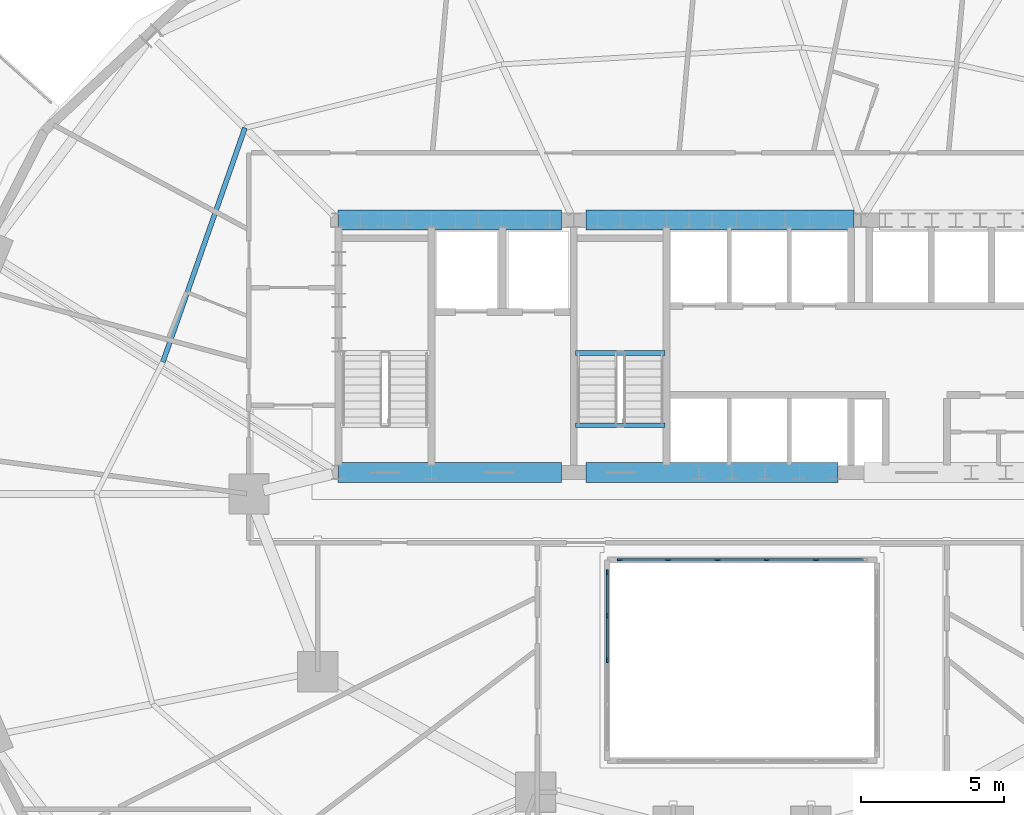
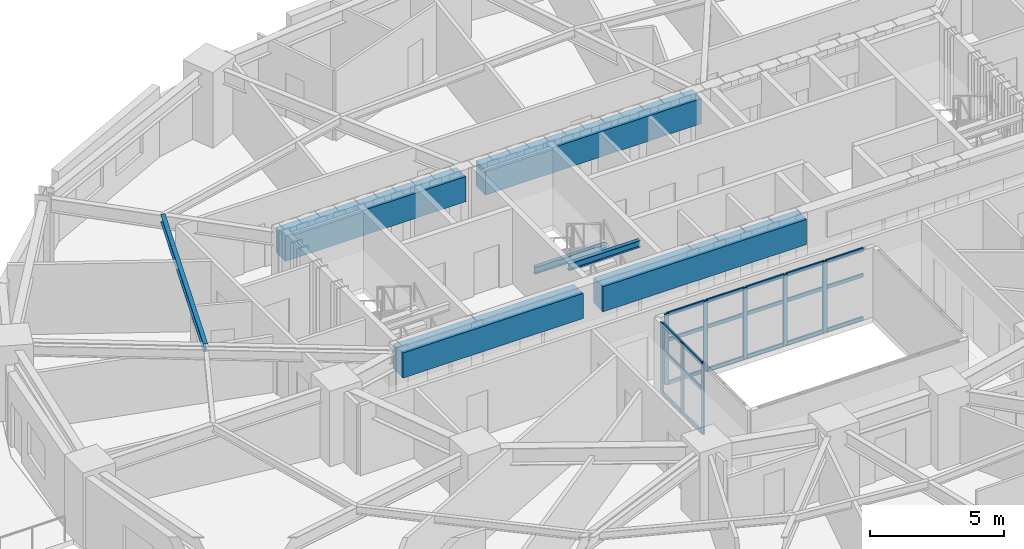
# One storey, part 4 of 15: 29 members, 7 beams, 2 elements without a shape of their own.
"""IFC4 building model written with IfcOpenShell, lengths in metres."""

from ifc_helpers import new_model, si_unit, direction, frame, origin, origin_2d, place, context, subcontext, project, spatial, rectangle, i_section, extrude, material, material_profile, profile_set, type_object, element, aggregate, save


model = new_model("IFC4")

# Units and contexts
model_context = context("Model", 3, precision=1e-05, world=origin(), true_north=direction((0.0, 1.0)))
body_context = subcontext(model_context, "Body", "Model", "MODEL_VIEW")
ifc_project = project(units=[si_unit("LENGTHUNIT", "METRE"), si_unit("AREAUNIT", "SQUARE_METRE"), si_unit("VOLUMEUNIT", "CUBIC_METRE"), si_unit("PLANEANGLEUNIT", "RADIAN"), si_unit("MASSUNIT", "GRAM", prefix="KILO")], contexts=[model_context])

# Site, building, storey
site_placement = place(None, origin())
site = spatial("IfcSite", under=ifc_project, at=site_placement, CompositionType="ELEMENT")
building_placement = place(site_placement, origin())
building = spatial("IfcBuilding", under=site, at=building_placement, Name="Haldorwick Loom Tower", CompositionType="ELEMENT")
storey_placement = place(building_placement, frame((0.0, 0.0, 81.800048828125)))
storey = spatial("IfcBuildingStorey", under=building, at=storey_placement, Name="L21", CompositionType="ELEMENT", Elevation=81.800048828125)

# Curtain wall, members
ifc_material_1 = material(Name="Thermally Broken Anodized Aluminium Curtain Wall Framing", Category="aluminium")
curtain_wall_type = type_object("IfcCurtainWallType", Name="ARC-CW-03", PredefinedType="NOTDEFINED", material=ifc_material_1)
curtain_wall_1_placement = place(storey_placement, origin())
curtain_wall_1 = element("IfcCurtainWall", 1, at=curtain_wall_1_placement, inside=storey, type_object=curtain_wall_type, Name="L21 Atrium Glazed Screen N", PredefinedType="NOTDEFINED")
ifc_material_profile_1 = material_profile(ifc_material_1, rectangle(XDim=0.06591796875, YDim=0.18505859375, at=origin_2d()), Name="ALU_MUL_66X185", Category="aluminium")
ifc_profile_set_1 = profile_set([ifc_material_profile_1], Name="Thermally Broken Anodized Aluminium Curtain Wall Framing")
member_type_1 = type_object("IfcMemberType", Name="ARC-CWM-03", PredefinedType="MULLION", material=ifc_profile_set_1)
member_1_placement = place(storey_placement, frame((31.73291015625, 23.699951171875, 0.0), z_axis=(0.0, 0.0, 1.0), x_axis=(0.0, 1.0, 0.0)))
member_1 = element("IfcMember", 2, at=member_1_placement, type_object=member_type_1, Name="CW-03 mullion 1", PredefinedType="MULLION", context=body_context, shape_type="SweptSolid", body=[
    extrude(rectangle(XDim=0.06591796875, YDim=0.18505859375, at=origin_2d()), origin(), (0.0, 0.0, 1.0), 3.2099609375),
])
member_2_placement = place(storey_placement, frame((33.419921875, 23.699951171875, 0.0), z_axis=(0.0, 0.0, 1.0), x_axis=(0.0, 1.0, 0.0)))
member_2 = element("IfcMember", 3, at=member_2_placement, type_object=member_type_1, Name="CW-03 mullion 2", PredefinedType="MULLION", context=body_context, shape_type="SweptSolid", body=[
    extrude(rectangle(XDim=0.06591796875, YDim=0.18505859375, at=origin_2d()), origin(), (0.0, 0.0, 1.0), 3.2099609375),
])
member_3_placement = place(storey_placement, frame((35.139892578125, 23.699951171875, 0.0), z_axis=(0.0, 0.0, 1.0), x_axis=(0.0, 1.0, 0.0)))
member_3 = element("IfcMember", 4, at=member_3_placement, type_object=member_type_1, Name="CW-03 mullion 3", PredefinedType="MULLION", context=body_context, shape_type="SweptSolid", body=[
    extrude(rectangle(XDim=0.06591796875, YDim=0.18505859375, at=origin_2d()), origin(), (0.0, 0.0, 1.0), 3.2099609375),
])
member_4_placement = place(storey_placement, frame((36.860107421875, 23.699951171875, 0.0), z_axis=(0.0, 0.0, 1.0), x_axis=(0.0, 1.0, 0.0)))
member_4 = element("IfcMember", 5, at=member_4_placement, type_object=member_type_1, Name="CW-03 mullion 4", PredefinedType="MULLION", context=body_context, shape_type="SweptSolid", body=[
    extrude(rectangle(XDim=0.06591796875, YDim=0.18505859375, at=origin_2d()), origin(), (0.0, 0.0, 1.0), 3.2099609375),
])
member_5_placement = place(storey_placement, frame((38.580078125, 23.699951171875, 0.0), z_axis=(0.0, 0.0, 1.0), x_axis=(0.0, 1.0, 0.0)))
member_5 = element("IfcMember", 6, at=member_5_placement, type_object=member_type_1, Name="CW-03 mullion 5", PredefinedType="MULLION", context=body_context, shape_type="SweptSolid", body=[
    extrude(rectangle(XDim=0.06591796875, YDim=0.18505859375, at=origin_2d()), origin(), (0.0, 0.0, 1.0), 3.2099609375),
])

curtain_wall_2_placement = place(storey_placement, origin())
curtain_wall_2 = element("IfcCurtainWall", 7, at=curtain_wall_2_placement, inside=storey, type_object=curtain_wall_type, Name="L21 Atrium Glazed Screen W", PredefinedType="NOTDEFINED")
member_6_placement = place(storey_placement, frame((31.300048828125, 20.199951171875, 0.0), z_axis=(0.0, 0.0, 1.0), x_axis=(-1.0, 0.0, 0.0)))
member_6 = element("IfcMember", 8, at=member_6_placement, type_object=member_type_1, Name="CW-03 mullion 3", PredefinedType="MULLION", context=body_context, shape_type="SweptSolid", body=[
    extrude(rectangle(XDim=0.06591796875, YDim=0.18505859375, at=origin_2d()), origin(), (0.0, 0.0, 1.0), 3.2099609375),
])
member_7_placement = place(storey_placement, frame((31.300048828125, 21.75, 0.0), z_axis=(0.0, 0.0, 1.0), x_axis=(-1.0, 0.0, 0.0)))
member_7 = element("IfcMember", 9, at=member_7_placement, type_object=member_type_1, Name="CW-03 mullion 4", PredefinedType="MULLION", context=body_context, shape_type="SweptSolid", body=[
    extrude(rectangle(XDim=0.06591796875, YDim=0.18505859375, at=origin_2d()), origin(), (0.0, 0.0, 1.0), 3.2099609375),
])
member_8_placement = place(storey_placement, frame((31.300048828125, 23.26708984375, 0.0), z_axis=(0.0, 0.0, 1.0), x_axis=(-1.0, 0.0, 0.0)))
member_8 = element("IfcMember", 10, at=member_8_placement, type_object=member_type_1, Name="CW-03 mullion 5", PredefinedType="MULLION", context=body_context, shape_type="SweptSolid", body=[
    extrude(rectangle(XDim=0.06591796875, YDim=0.18505859375, at=origin_2d()), origin(), (0.0, 0.0, 1.0), 3.2099609375),
])

# Member
ifc_material_profile_2 = material_profile(ifc_material_1, rectangle(XDim=0.06591796875, YDim=0.1650390625, at=origin_2d()), Name="ALU_TRN_66X165", Category="aluminium")
ifc_profile_set_2 = profile_set([ifc_material_profile_2], Name="Thermally Broken Anodized Aluminium Curtain Wall Framing")
member_type_2 = type_object("IfcMemberType", Name="ARC-CWT-03", PredefinedType="USERDEFINED", material=ifc_profile_set_2)
member_9_placement = place(storey_placement, frame((31.76611328125, 23.699951171875, 0.032958984375), z_axis=(1.0, 0.0, 0.0), x_axis=(0.0, 1.0, 0.0)))
member_9 = element("IfcMember", 11, at=member_9_placement, type_object=member_type_2, Name="CW-03 transom 1.1", ObjectType="TRANSOM", PredefinedType="USERDEFINED", context=body_context, shape_type="SweptSolid", body=[
    extrude(rectangle(XDim=0.06591796875, YDim=0.1650390625, at=origin_2d()), origin(), (0.0, 0.0, 1.0), 1.620849609375),
])

member_10_placement = place(storey_placement, frame((31.76611328125, 23.699951171875, 2.0), z_axis=(1.0, 0.0, 0.0), x_axis=(0.0, 1.0, 0.0)))
member_10 = element("IfcMember", 12, at=member_10_placement, type_object=member_type_2, Name="CW-03 transom 1.2", ObjectType="TRANSOM", PredefinedType="USERDEFINED", context=body_context, shape_type="SweptSolid", body=[
    extrude(rectangle(XDim=0.06591796875, YDim=0.1650390625, at=origin_2d()), origin(), (0.0, 0.0, 1.0), 1.620849609375),
])

member_11_placement = place(storey_placement, frame((31.76611328125, 23.699951171875, 3.177001953125), z_axis=(1.0, 0.0, 0.0), x_axis=(0.0, 1.0, 0.0)))
member_11 = element("IfcMember", 13, at=member_11_placement, type_object=member_type_2, Name="CW-03 transom 1.3", ObjectType="TRANSOM", PredefinedType="USERDEFINED", context=body_context, shape_type="SweptSolid", body=[
    extrude(rectangle(XDim=0.06591796875, YDim=0.1650390625, at=origin_2d()), origin(), (0.0, 0.0, 1.0), 1.620849609375),
])

member_12_placement = place(storey_placement, frame((33.452880859375, 23.699951171875, 0.032958984375), z_axis=(1.0, 0.0, 0.0), x_axis=(0.0, 1.0, 0.0)))
member_12 = element("IfcMember", 14, at=member_12_placement, type_object=member_type_2, Name="CW-03 transom 2.1", ObjectType="TRANSOM", PredefinedType="USERDEFINED", context=body_context, shape_type="SweptSolid", body=[
    extrude(rectangle(XDim=0.06591796875, YDim=0.1650390625, at=origin_2d()), origin(), (0.0, 0.0, 1.0), 1.654052734375),
])

member_13_placement = place(storey_placement, frame((33.452880859375, 23.699951171875, 2.0), z_axis=(1.0, 0.0, 0.0), x_axis=(0.0, 1.0, 0.0)))
member_13 = element("IfcMember", 15, at=member_13_placement, type_object=member_type_2, Name="CW-03 transom 2.2", ObjectType="TRANSOM", PredefinedType="USERDEFINED", context=body_context, shape_type="SweptSolid", body=[
    extrude(rectangle(XDim=0.06591796875, YDim=0.1650390625, at=origin_2d()), origin(), (0.0, 0.0, 1.0), 1.654052734375),
])

member_14_placement = place(storey_placement, frame((33.452880859375, 23.699951171875, 3.177001953125), z_axis=(1.0, 0.0, 0.0), x_axis=(0.0, 1.0, 0.0)))
member_14 = element("IfcMember", 16, at=member_14_placement, type_object=member_type_2, Name="CW-03 transom 2.3", ObjectType="TRANSOM", PredefinedType="USERDEFINED", context=body_context, shape_type="SweptSolid", body=[
    extrude(rectangle(XDim=0.06591796875, YDim=0.1650390625, at=origin_2d()), origin(), (0.0, 0.0, 1.0), 1.654052734375),
])

member_15_placement = place(storey_placement, frame((35.173095703125, 23.699951171875, 0.032958984375), z_axis=(1.0, 0.0, 0.0), x_axis=(0.0, 1.0, 0.0)))
member_15 = element("IfcMember", 17, at=member_15_placement, type_object=member_type_2, Name="CW-03 transom 3.1", ObjectType="TRANSOM", PredefinedType="USERDEFINED", context=body_context, shape_type="SweptSolid", body=[
    extrude(rectangle(XDim=0.06591796875, YDim=0.1650390625, at=origin_2d()), origin(), (0.0, 0.0, 1.0), 1.65380859375),
])

member_16_placement = place(storey_placement, frame((35.173095703125, 23.699951171875, 2.0), z_axis=(1.0, 0.0, 0.0), x_axis=(0.0, 1.0, 0.0)))
member_16 = element("IfcMember", 18, at=member_16_placement, type_object=member_type_2, Name="CW-03 transom 3.2", ObjectType="TRANSOM", PredefinedType="USERDEFINED", context=body_context, shape_type="SweptSolid", body=[
    extrude(rectangle(XDim=0.06591796875, YDim=0.1650390625, at=origin_2d()), origin(), (0.0, 0.0, 1.0), 1.65380859375),
])

member_17_placement = place(storey_placement, frame((35.173095703125, 23.699951171875, 3.177001953125), z_axis=(1.0, 0.0, 0.0), x_axis=(0.0, 1.0, 0.0)))
member_17 = element("IfcMember", 19, at=member_17_placement, type_object=member_type_2, Name="CW-03 transom 3.3", ObjectType="TRANSOM", PredefinedType="USERDEFINED", context=body_context, shape_type="SweptSolid", body=[
    extrude(rectangle(XDim=0.06591796875, YDim=0.1650390625, at=origin_2d()), origin(), (0.0, 0.0, 1.0), 1.65380859375),
])

member_18_placement = place(storey_placement, frame((36.89306640625, 23.699951171875, 0.032958984375), z_axis=(1.0, 0.0, 0.0), x_axis=(0.0, 1.0, 0.0)))
member_18 = element("IfcMember", 20, at=member_18_placement, type_object=member_type_2, Name="CW-03 transom 4.1", ObjectType="TRANSOM", PredefinedType="USERDEFINED", context=body_context, shape_type="SweptSolid", body=[
    extrude(rectangle(XDim=0.06591796875, YDim=0.1650390625, at=origin_2d()), origin(), (0.0, 0.0, 1.0), 1.654052734375),
])

member_19_placement = place(storey_placement, frame((36.89306640625, 23.699951171875, 2.0), z_axis=(1.0, 0.0, 0.0), x_axis=(0.0, 1.0, 0.0)))
member_19 = element("IfcMember", 21, at=member_19_placement, type_object=member_type_2, Name="CW-03 transom 4.2", ObjectType="TRANSOM", PredefinedType="USERDEFINED", context=body_context, shape_type="SweptSolid", body=[
    extrude(rectangle(XDim=0.06591796875, YDim=0.1650390625, at=origin_2d()), origin(), (0.0, 0.0, 1.0), 1.654052734375),
])

member_20_placement = place(storey_placement, frame((36.89306640625, 23.699951171875, 3.177001953125), z_axis=(1.0, 0.0, 0.0), x_axis=(0.0, 1.0, 0.0)))
member_20 = element("IfcMember", 22, at=member_20_placement, type_object=member_type_2, Name="CW-03 transom 4.3", ObjectType="TRANSOM", PredefinedType="USERDEFINED", context=body_context, shape_type="SweptSolid", body=[
    extrude(rectangle(XDim=0.06591796875, YDim=0.1650390625, at=origin_2d()), origin(), (0.0, 0.0, 1.0), 1.654052734375),
])

member_21_placement = place(storey_placement, frame((38.613037109375, 23.699951171875, 0.032958984375), z_axis=(1.0, 0.0, 0.0), x_axis=(0.0, 1.0, 0.0)))
member_21 = element("IfcMember", 23, at=member_21_placement, type_object=member_type_2, Name="CW-03 transom 5.1", ObjectType="TRANSOM", PredefinedType="USERDEFINED", context=body_context, shape_type="SweptSolid", body=[
    extrude(rectangle(XDim=0.06591796875, YDim=0.1650390625, at=origin_2d()), origin(), (0.0, 0.0, 1.0), 1.620849609375),
])

member_22_placement = place(storey_placement, frame((38.613037109375, 23.699951171875, 2.0), z_axis=(1.0, 0.0, 0.0), x_axis=(0.0, 1.0, 0.0)))
member_22 = element("IfcMember", 24, at=member_22_placement, type_object=member_type_2, Name="CW-03 transom 5.2", ObjectType="TRANSOM", PredefinedType="USERDEFINED", context=body_context, shape_type="SweptSolid", body=[
    extrude(rectangle(XDim=0.06591796875, YDim=0.1650390625, at=origin_2d()), origin(), (0.0, 0.0, 1.0), 1.620849609375),
])

member_23_placement = place(storey_placement, frame((38.613037109375, 23.699951171875, 3.177001953125), z_axis=(1.0, 0.0, 0.0), x_axis=(0.0, 1.0, 0.0)))
member_23 = element("IfcMember", 25, at=member_23_placement, type_object=member_type_2, Name="CW-03 transom 5.3", ObjectType="TRANSOM", PredefinedType="USERDEFINED", context=body_context, shape_type="SweptSolid", body=[
    extrude(rectangle(XDim=0.06591796875, YDim=0.1650390625, at=origin_2d()), origin(), (0.0, 0.0, 1.0), 1.620849609375),
])

aggregate(curtain_wall_1, [member_1, member_2, member_3, member_4, member_5, member_9, member_10, member_11, member_12, member_13, member_14, member_15, member_16, member_17, member_18, member_19, member_20, member_21, member_22, member_23])

member_24_placement = place(storey_placement, frame((31.300048828125, 20.23291015625, 0.032958984375), z_axis=(0.0, 1.0, 0.0), x_axis=(-1.0, 0.0, 0.0)))
member_24 = element("IfcMember", 26, at=member_24_placement, type_object=member_type_2, Name="CW-03 transom 3.1", ObjectType="TRANSOM", PredefinedType="USERDEFINED", context=body_context, shape_type="SweptSolid", body=[
    extrude(rectangle(XDim=0.06591796875, YDim=0.1650390625, at=origin_2d()), origin(), (0.0, 0.0, 1.0), 1.484130859375),
])

member_25_placement = place(storey_placement, frame((31.300048828125, 20.23291015625, 2.0), z_axis=(0.0, 1.0, 0.0), x_axis=(-1.0, 0.0, 0.0)))
member_25 = element("IfcMember", 27, at=member_25_placement, type_object=member_type_2, Name="CW-03 transom 3.2", ObjectType="TRANSOM", PredefinedType="USERDEFINED", context=body_context, shape_type="SweptSolid", body=[
    extrude(rectangle(XDim=0.06591796875, YDim=0.1650390625, at=origin_2d()), origin(), (0.0, 0.0, 1.0), 1.484130859375),
])

member_26_placement = place(storey_placement, frame((31.300048828125, 20.23291015625, 3.177001953125), z_axis=(0.0, 1.0, 0.0), x_axis=(-1.0, 0.0, 0.0)))
member_26 = element("IfcMember", 28, at=member_26_placement, type_object=member_type_2, Name="CW-03 transom 3.3", ObjectType="TRANSOM", PredefinedType="USERDEFINED", context=body_context, shape_type="SweptSolid", body=[
    extrude(rectangle(XDim=0.06591796875, YDim=0.1650390625, at=origin_2d()), origin(), (0.0, 0.0, 1.0), 1.484130859375),
])

member_27_placement = place(storey_placement, frame((31.300048828125, 21.782958984375, 0.032958984375), z_axis=(0.0, 1.0, 0.0), x_axis=(-1.0, 0.0, 0.0)))
member_27 = element("IfcMember", 29, at=member_27_placement, type_object=member_type_2, Name="CW-03 transom 4.1", ObjectType="TRANSOM", PredefinedType="USERDEFINED", context=body_context, shape_type="SweptSolid", body=[
    extrude(rectangle(XDim=0.06591796875, YDim=0.1650390625, at=origin_2d()), origin(), (0.0, 0.0, 1.0), 1.450927734375),
])

member_28_placement = place(storey_placement, frame((31.300048828125, 21.782958984375, 2.0), z_axis=(0.0, 1.0, 0.0), x_axis=(-1.0, 0.0, 0.0)))
member_28 = element("IfcMember", 30, at=member_28_placement, type_object=member_type_2, Name="CW-03 transom 4.2", ObjectType="TRANSOM", PredefinedType="USERDEFINED", context=body_context, shape_type="SweptSolid", body=[
    extrude(rectangle(XDim=0.06591796875, YDim=0.1650390625, at=origin_2d()), origin(), (0.0, 0.0, 1.0), 1.450927734375),
])

member_29_placement = place(storey_placement, frame((31.300048828125, 21.782958984375, 3.177001953125), z_axis=(0.0, 1.0, 0.0), x_axis=(-1.0, 0.0, 0.0)))
member_29 = element("IfcMember", 31, at=member_29_placement, type_object=member_type_2, Name="CW-03 transom 4.3", ObjectType="TRANSOM", PredefinedType="USERDEFINED", context=body_context, shape_type="SweptSolid", body=[
    extrude(rectangle(XDim=0.06591796875, YDim=0.1650390625, at=origin_2d()), origin(), (0.0, 0.0, 1.0), 1.450927734375),
])

aggregate(curtain_wall_2, [member_6, member_7, member_8, member_24, member_25, member_26, member_27, member_28, member_29])

# Beams
ifc_material_2 = material(Name="Concrete C60 (60 MPa)", Category="concrete")
ifc_material_profile_3 = material_profile(ifc_material_2, rectangle(XDim=0.699951171875, YDim=1.14990234375, at=origin_2d()), Name="RC700X1150", Category="concrete")
ifc_profile_set_3 = profile_set([ifc_material_profile_3], Name="Concrete C60 (60 MPa)")
beam_type_1 = type_object("IfcBeamType", Name="STR-BM-CB1150", PredefinedType="LINTEL", material=ifc_profile_set_3)
beam_1_placement = place(storey_placement, frame((21.89990234375, 35.550048828125, 2.635009765625), z_axis=(1.0, 0.0, 0.0), x_axis=(0.0, 1.0, 0.0)))
element("IfcBeam", 32, at=beam_1_placement, inside=storey, type_object=beam_type_1, Name="L21 Core Coupling Beam CB-N1", PredefinedType="LINTEL", context=body_context, shape_type="SweptSolid", body=[
    extrude(rectangle(XDim=0.699951171875, YDim=1.14990234375, at=origin_2d()), origin(), (0.0, 0.0, 1.0), 7.800048828125),
])
beam_2_placement = place(storey_placement, frame((30.550048828125, 35.550048828125, 2.635009765625), z_axis=(1.0, 0.0, 0.0), x_axis=(0.0, 1.0, 0.0)))
element("IfcBeam", 33, at=beam_2_placement, inside=storey, type_object=beam_type_1, Name="L21 Core Coupling Beam CB-N2", PredefinedType="LINTEL", context=body_context, shape_type="SweptSolid", body=[
    extrude(rectangle(XDim=0.699951171875, YDim=1.14990234375, at=origin_2d()), origin(), (0.0, 0.0, 1.0), 9.349853515625),
])
beam_3_placement = place(storey_placement, frame((21.89990234375, 26.75, 2.635009765625), z_axis=(1.0, 0.0, 0.0), x_axis=(0.0, 1.0, 0.0)))
element("IfcBeam", 34, at=beam_3_placement, inside=storey, type_object=beam_type_1, Name="L21 Core Coupling Beam CB-S1", PredefinedType="LINTEL", context=body_context, shape_type="SweptSolid", body=[
    extrude(rectangle(XDim=0.699951171875, YDim=1.14990234375, at=origin_2d()), origin(), (0.0, 0.0, 1.0), 7.800048828125),
])
beam_4_placement = place(storey_placement, frame((30.550048828125, 26.75, 2.635009765625), z_axis=(1.0, 0.0, 0.0), x_axis=(0.0, 1.0, 0.0)))
element("IfcBeam", 35, at=beam_4_placement, inside=storey, type_object=beam_type_1, Name="L21 Core Coupling Beam CB-S2", PredefinedType="LINTEL", context=body_context, shape_type="SweptSolid", body=[
    extrude(rectangle(XDim=0.699951171875, YDim=1.14990234375, at=origin_2d()), origin(), (0.0, 0.0, 1.0), 8.800048828125),
])
ifc_material_3 = material(Name="Steel CSA G40.21 350W", Category="steel")
ifc_material_profile_4 = material_profile(ifc_material_3, i_section(OverallWidth=0.172119140625, OverallDepth=0.35791015625, WebThickness=0.0078125, FlangeThickness=0.01318359375, at=origin_2d()), Name="W360X57", Category="steel")
ifc_profile_set_4 = profile_set([ifc_material_profile_4], Name="Steel CSA G40.21 350W")
beam_type_2 = type_object("IfcBeamType", Name="STR-BM-J360", PredefinedType="JOIST", material=ifc_profile_set_4)
beam_5_placement = place(storey_placement, frame((18.66162109375, 38.765869140625, 3.031005859375), z_axis=(-0.330864603503, -0.943678236556, 0.0), x_axis=(0.943678236556, -0.330864603503, 0.0)))
element("IfcBeam", 36, at=beam_5_placement, inside=storey, type_object=beam_type_2, Name="L21 Mid-Bay Secondary Joist 7", PredefinedType="JOIST", context=body_context, shape_type="SweptSolid", body=[
    extrude(i_section(OverallWidth=0.172119140625, OverallDepth=0.35791015625, WebThickness=0.0078125, FlangeThickness=0.01318359375, at=origin_2d()), origin(), (0.0, 0.0, 1.0), 8.6494140625),
])
ifc_material_profile_5 = material_profile(ifc_material_3, i_section(OverallWidth=0.166015625, OverallDepth=0.31298828125, WebThickness=0.006591796875, FlangeThickness=0.01123046875, at=origin_2d()), Name="W310X45", Category="steel")
ifc_profile_set_5 = profile_set([ifc_material_profile_5], Name="Steel CSA G40.21 350W")
beam_type_3 = type_object("IfcBeamType", Name="STR-BM-STRM", PredefinedType="BEAM", material=ifc_profile_set_5)
for number, where, z_axis, x_axis, name in (
    (37, (30.18994140625, 28.39990234375, 3.053466796875), (1.0, 0.0, 0.0), (0.0, 1.0, 0.0), "L21 Stair ST-03 Landing Edge Trimmer"),
    (38, (30.18994140625, 30.919921875, 1.368408203125), (1.0, 0.0, 0.0), (0.0, 1.0, 0.0), "L21 Stair ST-03 Half-Landing Trimmer 1"),
):
    element("IfcBeam", number, at=place(storey_placement, frame(where, z_axis=z_axis, x_axis=x_axis)), inside=storey, type_object=beam_type_3, Name=name, PredefinedType="BEAM", context=body_context, shape_type="SweptSolid", body=[
        extrude(i_section(OverallWidth=0.166015625, OverallDepth=0.31298828125, WebThickness=0.006591796875, FlangeThickness=0.01123046875, at=origin_2d()), origin(), (0.0, 0.0, 1.0), 3.1201171875),
    ])

save(model, "model.ifc")
